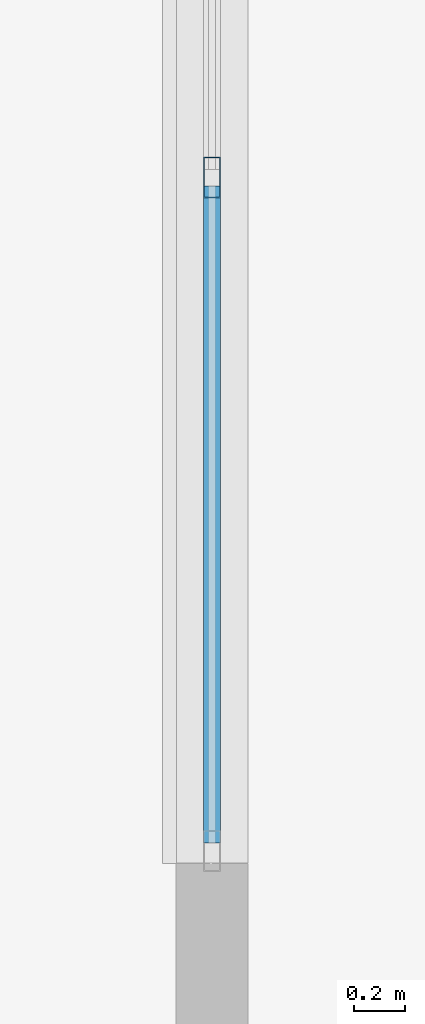
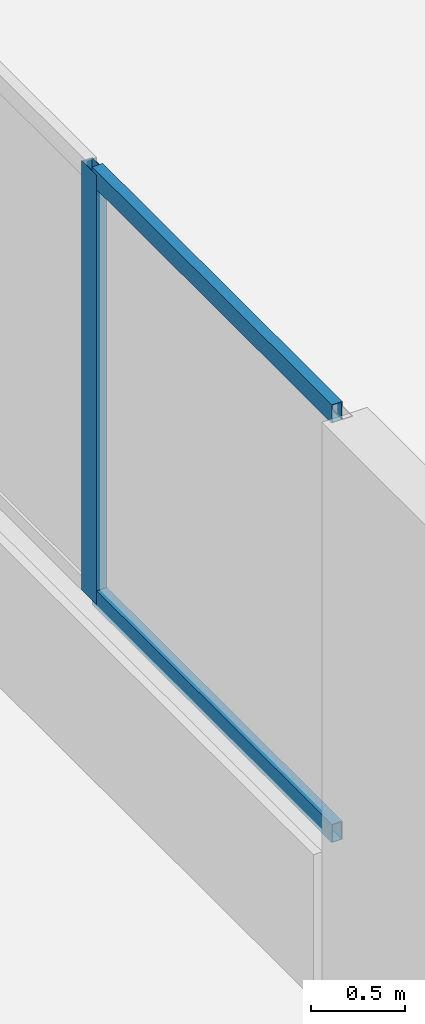
# One storey, part 6 of 67: 3 members, 1 element without a shape of its own.
"""IFC4 building model written with IfcOpenShell, lengths in metres."""

from ifc_helpers import new_model, si_unit, direction, frame, origin, origin_2d, place, context, subcontext, project, spatial, hollow_rectangle, extrude, material, material_profile, profile_set, type_object, element, aggregate, save


model = new_model("IFC4")

# Units and contexts
model_context = context("Model", 3, precision=1e-05, world=origin(), true_north=direction((0.0, 1.0)))
body_context = subcontext(model_context, "Body", "Model", "MODEL_VIEW")
ifc_project = project(units=[si_unit("LENGTHUNIT", "METRE"), si_unit("AREAUNIT", "SQUARE_METRE"), si_unit("VOLUMEUNIT", "CUBIC_METRE"), si_unit("PLANEANGLEUNIT", "RADIAN"), si_unit("MASSUNIT", "GRAM", prefix="KILO")], contexts=[model_context])

# Site, building, storey
site_placement = place(None, origin())
site = spatial("IfcSite", under=ifc_project, at=site_placement, CompositionType="ELEMENT")
building_placement = place(site_placement, origin())
building = spatial("IfcBuilding", under=site, at=building_placement, Name="Selatvlak General Hospital", CompositionType="ELEMENT")
storey_placement = place(building_placement, frame((0.0, 0.0, 35.39990234375)))
storey = spatial("IfcBuildingStorey", under=building, at=storey_placement, Name="L08", CompositionType="ELEMENT", Elevation=35.39990234375)

# Curtain wall, members
ifc_material_1 = material(Name="Solar-control Low-E double glazing", Category="glass")
curtain_wall_type = type_object("IfcCurtainWallType", Name="CW-CW-01", PredefinedType="USERDEFINED", material=ifc_material_1)
curtain_wall_placement = place(storey_placement, origin())
curtain_wall = element("IfcCurtainWall", 1, at=curtain_wall_placement, inside=storey, type_object=curtain_wall_type, Name="Glazed facade curtain wall CW-L08-0680", ObjectType="UNITISED CURTAIN WALL", PredefinedType="USERDEFINED")
ifc_material_2 = material(Name="Dark anodised aluminium mullion", Category="aluminium")
ifc_material_profile_1 = material_profile(ifc_material_2, hollow_rectangle(XDim=0.06494140625, YDim=0.159912109375, WallThickness=0.00390625, at=origin_2d()), Name="AL-MUL 65x160x4")
ifc_profile_set_1 = profile_set([ifc_material_profile_1], Name="Dark anodised aluminium mullion")
member_type_1 = type_object("IfcMemberType", Name="CWM-01", PredefinedType="MULLION", material=ifc_profile_set_1)
member_1_placement = place(storey_placement, frame((31.199951171875, 98.67138671875, 0.940185546875), z_axis=(0.0, 0.0, 1.0), x_axis=(-1.0, 0.0, 0.0)))
member_1 = element("IfcMember", 2, at=member_1_placement, type_object=member_type_1, Name="CW-01 mullion 2", PredefinedType="MULLION", context=body_context, shape_type="SweptSolid", body=[
    extrude(hollow_rectangle(XDim=0.06494140625, YDim=0.159912109375, WallThickness=0.00390625, at=origin_2d()), origin(), (0.0, 0.0, 1.0), 2.7998046875),
])
ifc_material_profile_2 = material_profile(ifc_material_2, hollow_rectangle(XDim=0.06494140625, YDim=0.1201171875, WallThickness=0.00390625, at=origin_2d()), Name="AL-TRN 65x120x4")
ifc_profile_set_2 = profile_set([ifc_material_profile_2], Name="Dark anodised aluminium mullion")
member_type_2 = type_object("IfcMemberType", Name="CWT-01", PredefinedType="USERDEFINED", material=ifc_profile_set_2)
member_2_placement = place(storey_placement, frame((31.199951171875, 96.080078125, 0.97265625), z_axis=(0.0, 1.0, 0.0), x_axis=(-1.0, 0.0, 0.0)))
member_2 = element("IfcMember", 3, at=member_2_placement, type_object=member_type_2, Name="CW-01 transom 1.1", ObjectType="TRANSOM", PredefinedType="USERDEFINED", context=body_context, shape_type="SweptSolid", body=[
    extrude(hollow_rectangle(XDim=0.06494140625, YDim=0.1201171875, WallThickness=0.00390625, at=origin_2d()), origin(), (0.0, 0.0, 1.0), 2.558837890625),
])
member_3_placement = place(storey_placement, frame((31.199951171875, 96.080078125, 3.70751953125), z_axis=(0.0, 1.0, 0.0), x_axis=(-1.0, 0.0, 0.0)))
member_3 = element("IfcMember", 4, at=member_3_placement, type_object=member_type_2, Name="CW-01 transom 1.2", ObjectType="TRANSOM", PredefinedType="USERDEFINED", context=body_context, shape_type="SweptSolid", body=[
    extrude(hollow_rectangle(XDim=0.06494140625, YDim=0.1201171875, WallThickness=0.00390625, at=origin_2d()), origin(), (0.0, 0.0, 1.0), 2.558837890625),
])
aggregate(curtain_wall, [member_1, member_2, member_3])

save(model, "model.ifc")
